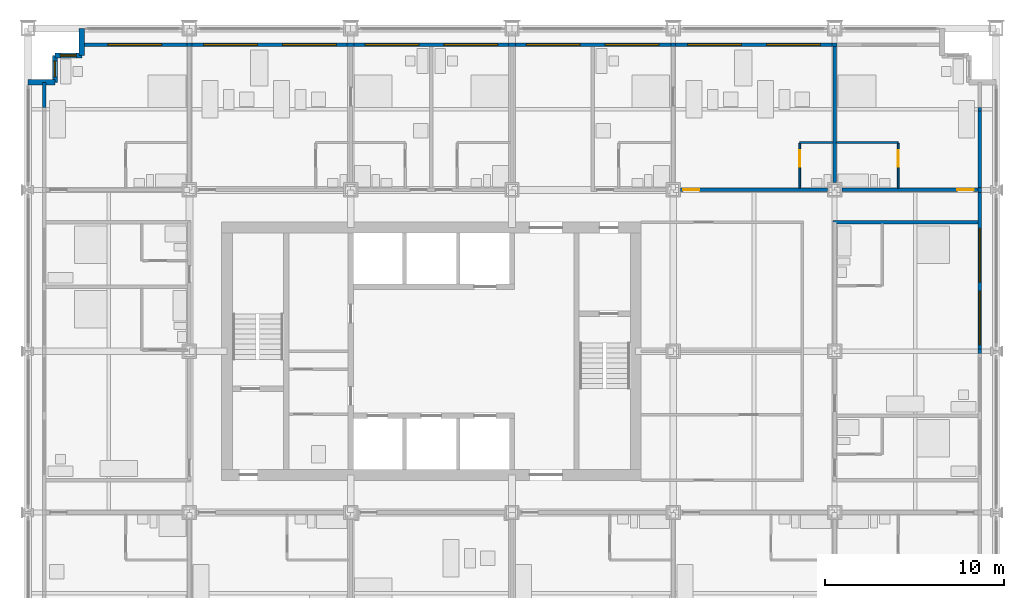
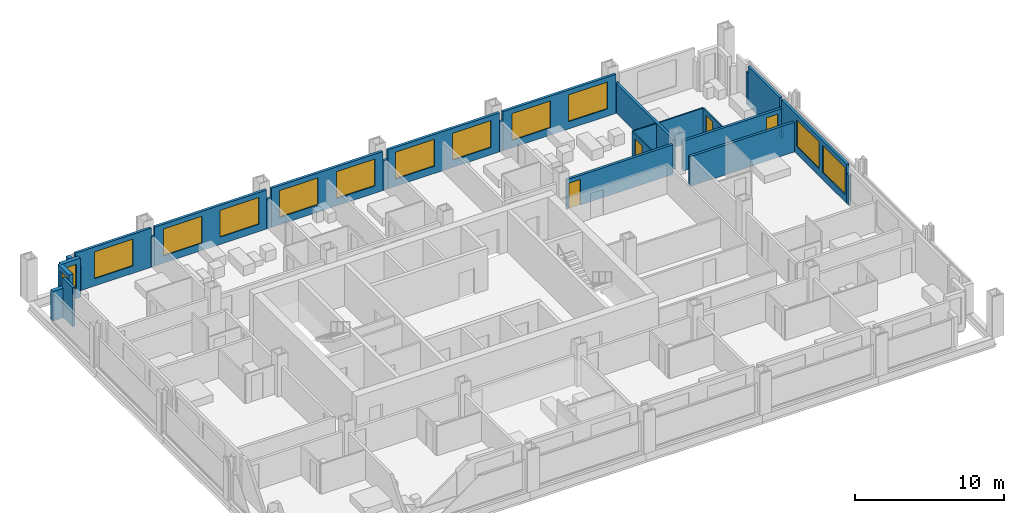
# One storey, part 14 of 18: 28 walls, 13 windows, 4 doors, 17 openings.
"""IFC4 building model written with IfcOpenShell, lengths in metres."""

from ifc_helpers import new_model, si_unit, direction, frame, frame_2d, origin, place, context, subcontext, project, spatial, rectangle, extrude, material, layer, layer_set, type_object, element, fill, save


model = new_model("IFC4")

# Units and contexts
model_context = context("Model", 3, precision=1e-05, world=origin(), true_north=direction((0.0, 1.0)))
body_context = subcontext(model_context, "Body", "Model", "MODEL_VIEW")
ifc_project = project(units=[si_unit("LENGTHUNIT", "METRE"), si_unit("AREAUNIT", "SQUARE_METRE"), si_unit("VOLUMEUNIT", "CUBIC_METRE"), si_unit("PLANEANGLEUNIT", "RADIAN"), si_unit("MASSUNIT", "GRAM", prefix="KILO")], contexts=[model_context])

# Site, building, storey
site_placement = place(None, origin())
site = spatial("IfcSite", under=ifc_project, at=site_placement, CompositionType="ELEMENT")
building_placement = place(site_placement, origin())
building = spatial("IfcBuilding", under=site, at=building_placement, Name="Loomwork Tower", CompositionType="ELEMENT")
storey_placement = place(building_placement, frame((0.0, 0.0, 45.0)))
storey = spatial("IfcBuildingStorey", under=building, at=storey_placement, Name="L10", CompositionType="ELEMENT", Elevation=45.0)

# Wall, opening, door
ifc_material_1 = material(Name="Gypsum board on steel studs, one-hour", Category="steel")
ifc_layer_1 = layer(ifc_material_1, 0.199951171875)
ifc_layer_set_1 = layer_set([ifc_layer_1], Name="Corridor wall 200")
wall_type_1 = type_object("IfcWallType", Name="Corridor wall 200", PredefinedType="PARTITIONING", material=ifc_layer_set_1)
wall_1_placement = place(storey_placement, frame((36.39990234375, 27.0, 0.0), z_axis=(0.0, 0.0, 1.0), x_axis=(1.0, 0.0, 0.0)))
wall_1 = element("IfcWall", 1, at=wall_1_placement, inside=storey, type_object=wall_type_1, Name="North corridor wall 5", PredefinedType="PARTITIONING", context=body_context, shape_type="SweptSolid", body=[
    extrude(rectangle(XDim=8.2001953125, YDim=0.199951171875, at=frame_2d((4.10009765625, 0.0))), origin(), (0.0, 0.0, 1.0), 2.43798828125),
])
opening_1_placement = place(wall_1_placement, frame((0.14990234375, 0.0, 0.0)))
opening_1 = element("IfcOpeningElement", 2, at=opening_1_placement, cuts=wall_1, Name="Opening D1", PredefinedType="OPENING", context=body_context, shape_type="SweptSolid", body=[
    extrude(rectangle(XDim=0.89990234375, YDim=2.10009765625, at=frame_2d((0.449951171875, 1.050048828125))), frame((0.0, 0.10986328125, 0.0), z_axis=(0.0, -1.0, 0.0), x_axis=(1.0, 0.0, 0.0)), (0.0, 0.0, 1.0), 0.219970703125),
])
ifc_material_2 = material(Name="Hollow metal door and frame")
door_type_1 = type_object("IfcDoorType", Name="Guest room entry door 900", OperationType="SINGLE_SWING_LEFT", PredefinedType="DOOR", material=ifc_material_2)
door_1_placement = place(opening_1_placement, origin())
door_1 = element("IfcDoor", 3, at=door_1_placement, inside=storey, type_object=door_type_1, Name="Guest room entry door L10 12", OperationType="SINGLE_SWING_LEFT", OverallHeight=2.10009765625, OverallWidth=0.89990234375, PredefinedType="DOOR", context=body_context, shape_type="SweptSolid", body=[
    extrude(rectangle(XDim=0.89990234375, YDim=2.10009765625, at=frame_2d((0.449951171875, 1.050048828125))), frame((0.0, 0.02490234375, 0.0), z_axis=(0.0, -1.0, 0.0), x_axis=(1.0, 0.0, 0.0)), (0.0, 0.0, 1.0), 0.050048828125),
])
fill(opening_1, door_1)

wall_2_placement = place(storey_placement, frame((45.39990234375, 27.0, 0.0), z_axis=(0.0, 0.0, 1.0), x_axis=(1.0, 0.0, 0.0)))
wall_2 = element("IfcWall", 4, at=wall_2_placement, inside=storey, type_object=wall_type_1, Name="North corridor wall 6", PredefinedType="PARTITIONING", context=body_context, shape_type="SweptSolid", body=[
    extrude(rectangle(XDim=7.60009765625, YDim=0.199951171875, at=frame_2d((3.800048828125, 0.0))), origin(), (0.0, 0.0, 1.0), 2.43798828125),
])
opening_2_placement = place(wall_2_placement, frame((6.449951171875, 0.0, 0.0)))
opening_2 = element("IfcOpeningElement", 5, at=opening_2_placement, cuts=wall_2, Name="Opening D1", PredefinedType="OPENING", context=body_context, shape_type="SweptSolid", body=[
    extrude(rectangle(XDim=0.89990234375, YDim=2.10009765625, at=frame_2d((0.449951171875, 1.050048828125))), frame((0.0, 0.10986328125, 0.0), z_axis=(0.0, -1.0, 0.0), x_axis=(1.0, 0.0, 0.0)), (0.0, 0.0, 1.0), 0.219970703125),
])
door_2_placement = place(opening_2_placement, origin())
door_2 = element("IfcDoor", 6, at=door_2_placement, inside=storey, type_object=door_type_1, Name="Guest room entry door L10 13", OperationType="SINGLE_SWING_RIGHT", OverallHeight=2.10009765625, OverallWidth=0.89990234375, PredefinedType="DOOR", context=body_context, shape_type="SweptSolid", body=[
    extrude(rectangle(XDim=0.89990234375, YDim=2.10009765625, at=frame_2d((0.449951171875, 1.050048828125))), frame((0.0, 0.02490234375, 0.0), z_axis=(0.0, -1.0, 0.0), x_axis=(1.0, 0.0, 0.0)), (0.0, 0.0, 1.0), 0.050048828125),
])
fill(opening_2, door_2)

# Walls
wall_3_placement = place(storey_placement, frame((44.89990234375, 25.199951171875, 0.0), z_axis=(0.0, 0.0, 1.0), x_axis=(1.0, 0.0, 0.0)))
element("IfcWall", 7, at=wall_3_placement, inside=storey, type_object=wall_type_1, Name="East band end wall N", PredefinedType="PARTITIONING", context=body_context, shape_type="SweptSolid", body=[
    extrude(rectangle(XDim=8.10009765625, YDim=0.199951171875, at=frame_2d((4.050048828125, 0.0))), origin(), (0.0, 0.0, 1.0), 2.43798828125),
])
ifc_material_3 = material(Name="Cement board on steel studs", Category="steel")
ifc_layer_2 = layer(ifc_material_3, 0.10009765625)
ifc_layer_set_2 = layer_set([ifc_layer_2], Name="En-suite partition 100")
wall_type_2 = type_object("IfcWallType", Name="En-suite partition 100", PredefinedType="PARTITIONING", material=ifc_layer_set_2)
wall_4_placement = place(storey_placement, frame((43.050048828125, 29.64990234375, 0.0), z_axis=(0.0, 0.0, 1.0), x_axis=(1.0, 0.0, 0.0)))
element("IfcWall", 8, at=wall_4_placement, inside=storey, type_object=wall_type_2, Name="En-suite wall L10 room 12", PredefinedType="PARTITIONING", context=body_context, shape_type="SweptSolid", body=[
    extrude(rectangle(XDim=1.849853515625, YDim=0.10009765625, at=frame_2d((0.9248046875, 0.0))), origin(), (0.0, 0.0, 1.0), 2.43798828125),
])

# Wall, opening, door
wall_5_placement = place(storey_placement, frame((43.050048828125, 27.10009765625, 0.0), z_axis=(0.0, 0.0, 1.0), x_axis=(0.0, 1.0, 0.0)))
wall_5 = element("IfcWall", 9, at=wall_5_placement, inside=storey, type_object=wall_type_2, Name="En-suite side wall L10 room 12", PredefinedType="PARTITIONING", context=body_context, shape_type="SweptSolid", body=[
    extrude(rectangle(XDim=2.5, YDim=0.10009765625, at=frame_2d((1.25, 0.0))), origin(), (0.0, 0.0, 1.0), 2.43798828125),
])
opening_3_placement = place(wall_5_placement, frame((1.199951171875, 0.0, 0.0)))
opening_3 = element("IfcOpeningElement", 10, at=opening_3_placement, cuts=wall_5, Name="Opening D2", PredefinedType="OPENING", context=body_context, shape_type="SweptSolid", body=[
    extrude(rectangle(XDim=0.89990234375, YDim=2.10009765625, at=frame_2d((0.449951171875, 1.050048828125))), frame((0.0, 0.06005859375, 0.0), z_axis=(0.0, -1.0, 0.0), x_axis=(1.0, 0.0, 0.0)), (0.0, 0.0, 1.0), 0.1201171875),
])
ifc_material_4 = material(Name="Hollow metal door and frame")
door_type_2 = type_object("IfcDoorType", Name="En-suite door 900", OperationType="SINGLE_SWING_LEFT", PredefinedType="DOOR", material=ifc_material_4)
door_3_placement = place(opening_3_placement, frame((0.89990234375, 0.0, 0.0), z_axis=(0.0, 0.0, 1.0), x_axis=(-1.0, 0.0, 0.0)))
door_3 = element("IfcDoor", 11, at=door_3_placement, inside=storey, type_object=door_type_2, Name="Suite powder room door room 12", OperationType="SINGLE_SWING_LEFT", OverallHeight=2.10009765625, OverallWidth=0.89990234375, PredefinedType="DOOR", context=body_context, shape_type="SweptSolid", body=[
    extrude(rectangle(XDim=0.89990234375, YDim=2.10009765625, at=frame_2d((0.449951171875, 1.050048828125))), frame((0.0, 0.02490234375, 0.0), z_axis=(0.0, -1.0, 0.0), x_axis=(1.0, 0.0, 0.0)), (0.0, 0.0, 1.0), 0.050048828125),
])
fill(opening_3, door_3)

# Wall
wall_6_placement = place(storey_placement, frame((45.10009765625, 29.64990234375, 0.0), z_axis=(0.0, 0.0, 1.0), x_axis=(1.0, 0.0, 0.0)))
element("IfcWall", 12, at=wall_6_placement, inside=storey, type_object=wall_type_2, Name="En-suite wall L10 room 13", PredefinedType="PARTITIONING", context=body_context, shape_type="SweptSolid", body=[
    extrude(rectangle(XDim=3.449951171875, YDim=0.10009765625, at=frame_2d((1.72509765625, 0.0))), origin(), (0.0, 0.0, 1.0), 2.43798828125),
])

# Wall, opening, door
wall_7_placement = place(storey_placement, frame((48.550048828125, 27.10009765625, 0.0), z_axis=(0.0, 0.0, 1.0), x_axis=(0.0, 1.0, 0.0)))
wall_7 = element("IfcWall", 13, at=wall_7_placement, inside=storey, type_object=wall_type_2, Name="En-suite side wall L10 room 13", PredefinedType="PARTITIONING", context=body_context, shape_type="SweptSolid", body=[
    extrude(rectangle(XDim=2.5, YDim=0.10009765625, at=frame_2d((1.25, 0.0))), origin(), (0.0, 0.0, 1.0), 2.43798828125),
])
opening_4_placement = place(wall_7_placement, frame((1.199951171875, 0.0, 0.0)))
opening_4 = element("IfcOpeningElement", 14, at=opening_4_placement, cuts=wall_7, Name="Opening D2", PredefinedType="OPENING", context=body_context, shape_type="SweptSolid", body=[
    extrude(rectangle(XDim=0.89990234375, YDim=2.10009765625, at=frame_2d((0.449951171875, 1.050048828125))), frame((0.0, 0.06005859375, 0.0), z_axis=(0.0, -1.0, 0.0), x_axis=(1.0, 0.0, 0.0)), (0.0, 0.0, 1.0), 0.1201171875),
])
door_4_placement = place(opening_4_placement, origin())
door_4 = element("IfcDoor", 15, at=door_4_placement, inside=storey, type_object=door_type_2, Name="En-suite door room 13", OperationType="SINGLE_SWING_RIGHT", OverallHeight=2.10009765625, OverallWidth=0.89990234375, PredefinedType="DOOR", context=body_context, shape_type="SweptSolid", body=[
    extrude(rectangle(XDim=0.89990234375, YDim=2.10009765625, at=frame_2d((0.449951171875, 1.050048828125))), frame((0.0, 0.02490234375, 0.0), z_axis=(0.0, -1.0, 0.0), x_axis=(1.0, 0.0, 0.0)), (0.0, 0.0, 1.0), 0.050048828125),
])
fill(opening_4, door_4)

# Wall
ifc_material_5 = material(Name="Gypsum board on steel studs, acoustic", Category="steel")
ifc_layer_3 = layer(ifc_material_5, 0.199951171875)
ifc_layer_set_3 = layer_set([ifc_layer_3], Name="Guest room party wall 200")
wall_type_3 = type_object("IfcWallType", Name="Guest room party wall 200", PredefinedType="PARTITIONING", material=ifc_layer_set_3)
wall_8_placement = place(storey_placement, frame((45.0, 27.39990234375, 0.0), z_axis=(0.0, 0.0, 1.0), x_axis=(0.0, 1.0, 0.0)))
element("IfcWall", 16, at=wall_8_placement, inside=storey, type_object=wall_type_3, Name="Guest room party wall N 45", PredefinedType="PARTITIONING", context=body_context, shape_type="SweptSolid", body=[
    extrude(rectangle(XDim=7.60009765625, YDim=0.199951171875, at=frame_2d((3.800048828125, 0.0))), origin(), (0.0, 0.0, 1.0), 2.43798828125),
])

# Wall, opening, window
ifc_material_6 = material(Name="Insulated steel stud wall with gypsum lining", Category="steel")
ifc_layer_4 = layer(ifc_material_6, 0.199951171875)
ifc_layer_set_4 = layer_set([ifc_layer_4], Name="Inner skin wall 200")
wall_type_4 = type_object("IfcWallType", Name="Inner skin wall 200", PredefinedType="SOLIDWALL", material=ifc_layer_set_4)
wall_9_placement = place(storey_placement, frame((3.0, 35.10009765625, 0.0), z_axis=(0.0, 0.0, 1.0), x_axis=(1.0, 0.0, 0.0)))
wall_9 = element("IfcWall", 17, at=wall_9_placement, inside=storey, type_object=wall_type_4, Name="Inner skin wall N", PredefinedType="SOLIDWALL", context=body_context, shape_type="SweptSolid", body=[
    extrude(rectangle(XDim=5.86474609375, YDim=0.199951171875, at=frame_2d((2.932373046875, 0.0))), origin(), (0.0, 0.0, 1.0), 3.199951171875),
])
opening_5_placement = place(wall_9_placement, frame((1.449951171875, 0.0, 0.60009765625)))
opening_5 = element("IfcOpeningElement", 18, at=opening_5_placement, cuts=wall_9, Name="Opening CH1", PredefinedType="OPENING", context=body_context, shape_type="SweptSolid", body=[
    extrude(rectangle(XDim=3.0, YDim=2.199951171875, at=frame_2d((1.5, 1.10009765625))), frame((0.0, 0.10986328125, 0.0), z_axis=(0.0, -1.0, 0.0), x_axis=(1.0, 0.0, 0.0)), (0.0, 0.0, 1.0), 0.219970703125),
])
ifc_material_7 = material(Name="Aluminium frame with clear insulated glass", Category="aluminium")
window_type_1 = type_object("IfcWindowType", Name="Chicago window 3000", PartitioningType="TRIPLE_PANEL_VERTICAL", PredefinedType="WINDOW", material=ifc_material_7)
window_1_placement = place(opening_5_placement, origin())
window_1 = element("IfcWindow", 19, at=window_1_placement, inside=storey, type_object=window_type_1, Name="Chicago window L10 bay 7", OverallHeight=2.199951171875, OverallWidth=3.0, PartitioningType="TRIPLE_PANEL_VERTICAL", PredefinedType="WINDOW", context=body_context, shape_type="SweptSolid", body=[
    extrude(rectangle(XDim=3.0, YDim=2.199951171875, at=frame_2d((1.5, 1.10009765625))), frame((0.0, 0.030029296875, 0.0), z_axis=(0.0, -1.0, 0.0), x_axis=(1.0, 0.0, 0.0)), (0.0, 0.0, 1.0), 0.06005859375),
])
fill(opening_5, window_1)

# Walls
wall_10_placement = place(storey_placement, frame((0.89990234375, 31.607421875, 0.0), z_axis=(0.0, 0.0, 1.0), x_axis=(0.0, 1.0, 0.0)))
element("IfcWall", 20, at=wall_10_placement, inside=storey, type_object=wall_type_4, Name="Inner skin wall W bay 11", PredefinedType="SOLIDWALL", context=body_context, shape_type="SweptSolid", body=[
    extrude(rectangle(XDim=1.392578125, YDim=0.199951171875, at=frame_2d((0.6962890625, 0.0))), origin(), (0.0, 0.0, 1.0), 3.199951171875),
])
wall_11_placement = place(storey_placement, frame((8.86474609375, 35.10009765625, 0.0), z_axis=(0.0, 0.0, 1.0), x_axis=(1.0, 0.0, 0.0)))
element("IfcWall", 21, at=wall_11_placement, inside=storey, type_object=wall_type_4, Name="Inner skin wall N bay 2", PredefinedType="SOLIDWALL", context=body_context, shape_type="SweptSolid", body=[
    extrude(rectangle(XDim=0.2705078125, YDim=0.199951171875, at=frame_2d((0.13525390625, 0.0))), origin(), (0.0, 0.0, 1.0), 2.43798828125),
])

# Wall, openings, windows
wall_12_placement = place(storey_placement, frame((9.13525390625, 35.10009765625, 0.0), z_axis=(0.0, 0.0, 1.0), x_axis=(1.0, 0.0, 0.0)))
wall_12 = element("IfcWall", 22, at=wall_12_placement, inside=storey, type_object=wall_type_4, Name="Inner skin wall N bay 3", PredefinedType="SOLIDWALL", context=body_context, shape_type="SweptSolid", body=[
    extrude(rectangle(XDim=8.6708984375, YDim=0.199951171875, at=frame_2d((4.33544921875, 0.0))), origin(), (0.0, 0.0, 1.0), 3.199951171875),
])
opening_6_placement = place(wall_12_placement, frame((0.664794921875, 0.0, 0.60009765625)))
opening_6 = element("IfcOpeningElement", 23, at=opening_6_placement, cuts=wall_12, Name="Opening CH1", PredefinedType="OPENING", context=body_context, shape_type="SweptSolid", body=[
    extrude(rectangle(XDim=3.0, YDim=2.199951171875, at=frame_2d((1.5, 1.10009765625))), frame((0.0, 0.10986328125, 0.0), z_axis=(0.0, -1.0, 0.0), x_axis=(1.0, 0.0, 0.0)), (0.0, 0.0, 1.0), 0.219970703125),
])
opening_7_placement = place(wall_12_placement, frame((5.064697265625, 0.0, 0.60009765625)))
opening_7 = element("IfcOpeningElement", 24, at=opening_7_placement, cuts=wall_12, Name="Opening CH1", PredefinedType="OPENING", context=body_context, shape_type="SweptSolid", body=[
    extrude(rectangle(XDim=3.0, YDim=2.199951171875, at=frame_2d((1.5, 1.10009765625))), frame((0.0, 0.10986328125, 0.0), z_axis=(0.0, -1.0, 0.0), x_axis=(1.0, 0.0, 0.0)), (0.0, 0.0, 1.0), 0.219970703125),
])
window_2_placement = place(opening_6_placement, origin())
window_2 = element("IfcWindow", 25, at=window_2_placement, inside=storey, type_object=window_type_1, Name="Chicago window L10 bay 8", OverallHeight=2.199951171875, OverallWidth=3.0, PartitioningType="TRIPLE_PANEL_VERTICAL", PredefinedType="WINDOW", context=body_context, shape_type="SweptSolid", body=[
    extrude(rectangle(XDim=3.0, YDim=2.199951171875, at=frame_2d((1.5, 1.10009765625))), frame((0.0, 0.030029296875, 0.0), z_axis=(0.0, -1.0, 0.0), x_axis=(1.0, 0.0, 0.0)), (0.0, 0.0, 1.0), 0.06005859375),
])
fill(opening_6, window_2)
window_3_placement = place(opening_7_placement, origin())
window_3 = element("IfcWindow", 26, at=window_3_placement, inside=storey, type_object=window_type_1, Name="Chicago window L10 bay 8", OverallHeight=2.199951171875, OverallWidth=3.0, PartitioningType="TRIPLE_PANEL_VERTICAL", PredefinedType="WINDOW", context=body_context, shape_type="SweptSolid", body=[
    extrude(rectangle(XDim=3.0, YDim=2.199951171875, at=frame_2d((1.5, 1.10009765625))), frame((0.0, 0.030029296875, 0.0), z_axis=(0.0, -1.0, 0.0), x_axis=(1.0, 0.0, 0.0)), (0.0, 0.0, 1.0), 0.06005859375),
])
fill(opening_7, window_3)

# Wall
wall_13_placement = place(storey_placement, frame((17.80615234375, 35.10009765625, 0.0), z_axis=(0.0, 0.0, 1.0), x_axis=(1.0, 0.0, 0.0)))
element("IfcWall", 27, at=wall_13_placement, inside=storey, type_object=wall_type_4, Name="Inner skin wall N bay 4", PredefinedType="SOLIDWALL", context=body_context, shape_type="SweptSolid", body=[
    extrude(rectangle(XDim=0.3876953125, YDim=0.199951171875, at=frame_2d((0.19384765625, 0.0))), origin(), (0.0, 0.0, 1.0), 2.404052734375),
])

# Wall, openings, windows
wall_14_placement = place(storey_placement, frame((18.19384765625, 35.10009765625, 0.0), z_axis=(0.0, 0.0, 1.0), x_axis=(1.0, 0.0, 0.0)))
wall_14 = element("IfcWall", 28, at=wall_14_placement, inside=storey, type_object=wall_type_4, Name="Inner skin wall N bay 5", PredefinedType="SOLIDWALL", context=body_context, shape_type="SweptSolid", body=[
    extrude(rectangle(XDim=8.6123046875, YDim=0.199951171875, at=frame_2d((4.30615234375, 0.0))), origin(), (0.0, 0.0, 1.0), 3.199951171875),
])
opening_8_placement = place(wall_14_placement, frame((0.606201171875, 0.0, 0.60009765625)))
opening_8 = element("IfcOpeningElement", 29, at=opening_8_placement, cuts=wall_14, Name="Opening CH1", PredefinedType="OPENING", context=body_context, shape_type="SweptSolid", body=[
    extrude(rectangle(XDim=3.0, YDim=2.199951171875, at=frame_2d((1.5, 1.10009765625))), frame((0.0, 0.10986328125, 0.0), z_axis=(0.0, -1.0, 0.0), x_axis=(1.0, 0.0, 0.0)), (0.0, 0.0, 1.0), 0.219970703125),
])
opening_9_placement = place(wall_14_placement, frame((5.006103515625, 0.0, 0.60009765625)))
opening_9 = element("IfcOpeningElement", 30, at=opening_9_placement, cuts=wall_14, Name="Opening CH1", PredefinedType="OPENING", context=body_context, shape_type="SweptSolid", body=[
    extrude(rectangle(XDim=3.0, YDim=2.199951171875, at=frame_2d((1.5, 1.10009765625))), frame((0.0, 0.10986328125, 0.0), z_axis=(0.0, -1.0, 0.0), x_axis=(1.0, 0.0, 0.0)), (0.0, 0.0, 1.0), 0.219970703125),
])
window_4_placement = place(opening_8_placement, origin())
window_4 = element("IfcWindow", 31, at=window_4_placement, inside=storey, type_object=window_type_1, Name="Chicago window L10 bay 9", OverallHeight=2.199951171875, OverallWidth=3.0, PartitioningType="TRIPLE_PANEL_VERTICAL", PredefinedType="WINDOW", context=body_context, shape_type="SweptSolid", body=[
    extrude(rectangle(XDim=3.0, YDim=2.199951171875, at=frame_2d((1.5, 1.10009765625))), frame((0.0, 0.030029296875, 0.0), z_axis=(0.0, -1.0, 0.0), x_axis=(1.0, 0.0, 0.0)), (0.0, 0.0, 1.0), 0.06005859375),
])
fill(opening_8, window_4)
window_5_placement = place(opening_9_placement, origin())
window_5 = element("IfcWindow", 32, at=window_5_placement, inside=storey, type_object=window_type_1, Name="Chicago window L10 bay 9", OverallHeight=2.199951171875, OverallWidth=3.0, PartitioningType="TRIPLE_PANEL_VERTICAL", PredefinedType="WINDOW", context=body_context, shape_type="SweptSolid", body=[
    extrude(rectangle(XDim=3.0, YDim=2.199951171875, at=frame_2d((1.5, 1.10009765625))), frame((0.0, 0.030029296875, 0.0), z_axis=(0.0, -1.0, 0.0), x_axis=(1.0, 0.0, 0.0)), (0.0, 0.0, 1.0), 0.06005859375),
])
fill(opening_9, window_5)

# Wall
wall_15_placement = place(storey_placement, frame((26.80615234375, 35.10009765625, 0.0), z_axis=(0.0, 0.0, 1.0), x_axis=(1.0, 0.0, 0.0)))
element("IfcWall", 33, at=wall_15_placement, inside=storey, type_object=wall_type_4, Name="Inner skin wall N bay 6", PredefinedType="SOLIDWALL", context=body_context, shape_type="SweptSolid", body=[
    extrude(rectangle(XDim=0.3876953125, YDim=0.199951171875, at=frame_2d((0.19384765625, 0.0))), origin(), (0.0, 0.0, 1.0), 2.404052734375),
])

# Wall, openings, windows
wall_16_placement = place(storey_placement, frame((27.19384765625, 35.10009765625, 0.0), z_axis=(0.0, 0.0, 1.0), x_axis=(1.0, 0.0, 0.0)))
wall_16 = element("IfcWall", 34, at=wall_16_placement, inside=storey, type_object=wall_type_4, Name="Inner skin wall N bay 7", PredefinedType="SOLIDWALL", context=body_context, shape_type="SweptSolid", body=[
    extrude(rectangle(XDim=8.670654296875, YDim=0.199951171875, at=frame_2d((4.33544921875, 0.0))), origin(), (0.0, 0.0, 1.0), 3.199951171875),
])
opening_10_placement = place(wall_16_placement, frame((0.606201171875, 0.0, 0.60009765625)))
opening_10 = element("IfcOpeningElement", 35, at=opening_10_placement, cuts=wall_16, Name="Opening CH1", PredefinedType="OPENING", context=body_context, shape_type="SweptSolid", body=[
    extrude(rectangle(XDim=3.0, YDim=2.199951171875, at=frame_2d((1.5, 1.10009765625))), frame((0.0, 0.10986328125, 0.0), z_axis=(0.0, -1.0, 0.0), x_axis=(1.0, 0.0, 0.0)), (0.0, 0.0, 1.0), 0.219970703125),
])
opening_11_placement = place(wall_16_placement, frame((5.006103515625, 0.0, 0.60009765625)))
opening_11 = element("IfcOpeningElement", 36, at=opening_11_placement, cuts=wall_16, Name="Opening CH1", PredefinedType="OPENING", context=body_context, shape_type="SweptSolid", body=[
    extrude(rectangle(XDim=3.0, YDim=2.199951171875, at=frame_2d((1.5, 1.10009765625))), frame((0.0, 0.10986328125, 0.0), z_axis=(0.0, -1.0, 0.0), x_axis=(1.0, 0.0, 0.0)), (0.0, 0.0, 1.0), 0.219970703125),
])
window_6_placement = place(opening_10_placement, origin())
window_6 = element("IfcWindow", 37, at=window_6_placement, inside=storey, type_object=window_type_1, Name="Chicago window L10 bay 10", OverallHeight=2.199951171875, OverallWidth=3.0, PartitioningType="TRIPLE_PANEL_VERTICAL", PredefinedType="WINDOW", context=body_context, shape_type="SweptSolid", body=[
    extrude(rectangle(XDim=3.0, YDim=2.199951171875, at=frame_2d((1.5, 1.10009765625))), frame((0.0, 0.030029296875, 0.0), z_axis=(0.0, -1.0, 0.0), x_axis=(1.0, 0.0, 0.0)), (0.0, 0.0, 1.0), 0.06005859375),
])
fill(opening_10, window_6)
window_7_placement = place(opening_11_placement, origin())
window_7 = element("IfcWindow", 38, at=window_7_placement, inside=storey, type_object=window_type_1, Name="Chicago window L10 bay 10", OverallHeight=2.199951171875, OverallWidth=3.0, PartitioningType="TRIPLE_PANEL_VERTICAL", PredefinedType="WINDOW", context=body_context, shape_type="SweptSolid", body=[
    extrude(rectangle(XDim=3.0, YDim=2.199951171875, at=frame_2d((1.5, 1.10009765625))), frame((0.0, 0.030029296875, 0.0), z_axis=(0.0, -1.0, 0.0), x_axis=(1.0, 0.0, 0.0)), (0.0, 0.0, 1.0), 0.06005859375),
])
fill(opening_11, window_7)

# Wall
wall_17_placement = place(storey_placement, frame((35.864501953125, 35.10009765625, 0.0), z_axis=(0.0, 0.0, 1.0), x_axis=(1.0, 0.0, 0.0)))
element("IfcWall", 39, at=wall_17_placement, inside=storey, type_object=wall_type_4, Name="Inner skin wall N bay 8", PredefinedType="SOLIDWALL", context=body_context, shape_type="SweptSolid", body=[
    extrude(rectangle(XDim=0.27099609375, YDim=0.199951171875, at=frame_2d((0.135498046875, 0.0))), origin(), (0.0, 0.0, 1.0), 2.43798828125),
])

# Wall, openings, windows
wall_18_placement = place(storey_placement, frame((36.135498046875, 35.10009765625, 0.0), z_axis=(0.0, 0.0, 1.0), x_axis=(1.0, 0.0, 0.0)))
wall_18 = element("IfcWall", 40, at=wall_18_placement, inside=storey, type_object=wall_type_4, Name="Inner skin wall N bay 9", PredefinedType="SOLIDWALL", context=body_context, shape_type="SweptSolid", body=[
    extrude(rectangle(XDim=8.72900390625, YDim=0.199951171875, at=frame_2d((4.364501953125, 0.0))), origin(), (0.0, 0.0, 1.0), 3.199951171875),
])
opening_12_placement = place(wall_18_placement, frame((0.66455078125, 0.0, 0.60009765625)))
opening_12 = element("IfcOpeningElement", 41, at=opening_12_placement, cuts=wall_18, Name="Opening CH1", PredefinedType="OPENING", context=body_context, shape_type="SweptSolid", body=[
    extrude(rectangle(XDim=3.0, YDim=2.199951171875, at=frame_2d((1.5, 1.10009765625))), frame((0.0, 0.10986328125, 0.0), z_axis=(0.0, -1.0, 0.0), x_axis=(1.0, 0.0, 0.0)), (0.0, 0.0, 1.0), 0.219970703125),
])
opening_13_placement = place(wall_18_placement, frame((5.064697265625, 0.0, 0.60009765625)))
opening_13 = element("IfcOpeningElement", 42, at=opening_13_placement, cuts=wall_18, Name="Opening CH1", PredefinedType="OPENING", context=body_context, shape_type="SweptSolid", body=[
    extrude(rectangle(XDim=3.0, YDim=2.199951171875, at=frame_2d((1.5, 1.10009765625))), frame((0.0, 0.10986328125, 0.0), z_axis=(0.0, -1.0, 0.0), x_axis=(1.0, 0.0, 0.0)), (0.0, 0.0, 1.0), 0.219970703125),
])
window_8_placement = place(opening_12_placement, origin())
window_8 = element("IfcWindow", 43, at=window_8_placement, inside=storey, type_object=window_type_1, Name="Chicago window L10 bay 11", OverallHeight=2.199951171875, OverallWidth=3.0, PartitioningType="TRIPLE_PANEL_VERTICAL", PredefinedType="WINDOW", context=body_context, shape_type="SweptSolid", body=[
    extrude(rectangle(XDim=3.0, YDim=2.199951171875, at=frame_2d((1.5, 1.10009765625))), frame((0.0, 0.030029296875, 0.0), z_axis=(0.0, -1.0, 0.0), x_axis=(1.0, 0.0, 0.0)), (0.0, 0.0, 1.0), 0.06005859375),
])
fill(opening_12, window_8)
window_9_placement = place(opening_13_placement, origin())
window_9 = element("IfcWindow", 44, at=window_9_placement, inside=storey, type_object=window_type_1, Name="Chicago window L10 bay 11", OverallHeight=2.199951171875, OverallWidth=3.0, PartitioningType="TRIPLE_PANEL_VERTICAL", PredefinedType="WINDOW", context=body_context, shape_type="SweptSolid", body=[
    extrude(rectangle(XDim=3.0, YDim=2.199951171875, at=frame_2d((1.5, 1.10009765625))), frame((0.0, 0.030029296875, 0.0), z_axis=(0.0, -1.0, 0.0), x_axis=(1.0, 0.0, 0.0)), (0.0, 0.0, 1.0), 0.06005859375),
])
fill(opening_13, window_9)

# Walls
for number, where, z_axis, x_axis, name in (
    (45, (44.864501953125, 35.10009765625, 0.0), (0.0, 0.0, 1.0), (1.0, 0.0, 0.0), "Inner skin wall N bay 10"),
    (46, (53.10009765625, 17.864501953125, 0.0), (0.0, 0.0, 1.0), (0.0, 1.0, 0.0), "Inner skin wall E bay 6"),
):
    element("IfcWall", number, at=place(storey_placement, frame(where, z_axis=z_axis, x_axis=x_axis)), inside=storey, type_object=wall_type_4, Name=name, PredefinedType="SOLIDWALL", context=body_context, shape_type="SweptSolid", body=[
        extrude(rectangle(XDim=0.27099609375, YDim=0.199951171875, at=frame_2d((0.135498046875, 0.0))), origin(), (0.0, 0.0, 1.0), 2.43798828125),
    ])

# Wall, openings, windows
wall_19_placement = place(storey_placement, frame((53.10009765625, 18.135498046875, 0.0), z_axis=(0.0, 0.0, 1.0), x_axis=(0.0, 1.0, 0.0)))
wall_19 = element("IfcWall", 47, at=wall_19_placement, inside=storey, type_object=wall_type_4, Name="Inner skin wall E bay 7", PredefinedType="SOLIDWALL", context=body_context, shape_type="SweptSolid", body=[
    extrude(rectangle(XDim=8.729248046875, YDim=0.199951171875, at=frame_2d((4.36474609375, 0.0))), origin(), (0.0, 0.0, 1.0), 3.199951171875),
])
opening_14_placement = place(wall_19_placement, frame((0.214599609375, 0.0, 0.60009765625)))
opening_14 = element("IfcOpeningElement", 48, at=opening_14_placement, cuts=wall_19, Name="Opening CH1", PredefinedType="OPENING", context=body_context, shape_type="SweptSolid", body=[
    extrude(rectangle(XDim=3.0, YDim=2.199951171875, at=frame_2d((1.5, 1.10009765625))), frame((0.0, 0.10986328125, 0.0), z_axis=(0.0, -1.0, 0.0), x_axis=(1.0, 0.0, 0.0)), (0.0, 0.0, 1.0), 0.219970703125),
])
opening_15_placement = place(wall_19_placement, frame((3.714599609375, 0.0, 0.60009765625)))
opening_15 = element("IfcOpeningElement", 49, at=opening_15_placement, cuts=wall_19, Name="Opening CH1", PredefinedType="OPENING", context=body_context, shape_type="SweptSolid", body=[
    extrude(rectangle(XDim=3.0, YDim=2.199951171875, at=frame_2d((1.5, 1.10009765625))), frame((0.0, 0.10986328125, 0.0), z_axis=(0.0, -1.0, 0.0), x_axis=(1.0, 0.0, 0.0)), (0.0, 0.0, 1.0), 0.219970703125),
])
window_10_placement = place(opening_14_placement, origin())
window_10 = element("IfcWindow", 50, at=window_10_placement, inside=storey, type_object=window_type_1, Name="Chicago window L10 bay 16", OverallHeight=2.199951171875, OverallWidth=3.0, PartitioningType="TRIPLE_PANEL_VERTICAL", PredefinedType="WINDOW", context=body_context, shape_type="SweptSolid", body=[
    extrude(rectangle(XDim=3.0, YDim=2.199951171875, at=frame_2d((1.5, 1.10009765625))), frame((0.0, 0.030029296875, 0.0), z_axis=(0.0, -1.0, 0.0), x_axis=(1.0, 0.0, 0.0)), (0.0, 0.0, 1.0), 0.06005859375),
])
fill(opening_14, window_10)
window_11_placement = place(opening_15_placement, origin())
window_11 = element("IfcWindow", 51, at=window_11_placement, inside=storey, type_object=window_type_1, Name="Chicago window L10 bay 16", OverallHeight=2.199951171875, OverallWidth=3.0, PartitioningType="TRIPLE_PANEL_VERTICAL", PredefinedType="WINDOW", context=body_context, shape_type="SweptSolid", body=[
    extrude(rectangle(XDim=3.0, YDim=2.199951171875, at=frame_2d((1.5, 1.10009765625))), frame((0.0, 0.030029296875, 0.0), z_axis=(0.0, -1.0, 0.0), x_axis=(1.0, 0.0, 0.0)), (0.0, 0.0, 1.0), 0.06005859375),
])
fill(opening_15, window_11)

# Walls
wall_20_placement = place(storey_placement, frame((53.10009765625, 26.86474609375, 0.0), z_axis=(0.0, 0.0, 1.0), x_axis=(0.0, 1.0, 0.0)))
element("IfcWall", 52, at=wall_20_placement, inside=storey, type_object=wall_type_4, Name="Inner skin wall E bay 8", PredefinedType="SOLIDWALL", context=body_context, shape_type="SweptSolid", body=[
    extrude(rectangle(XDim=0.2705078125, YDim=0.199951171875, at=frame_2d((0.13525390625, 0.0))), origin(), (0.0, 0.0, 1.0), 2.43798828125),
])
wall_21_placement = place(storey_placement, frame((53.10009765625, 27.13525390625, 0.0), z_axis=(0.0, 0.0, 1.0), x_axis=(0.0, 1.0, 0.0)))
element("IfcWall", 53, at=wall_21_placement, inside=storey, type_object=wall_type_4, Name="Inner skin wall E bay 9", PredefinedType="SOLIDWALL", context=body_context, shape_type="SweptSolid", body=[
    extrude(rectangle(XDim=4.25732421875, YDim=0.199951171875, at=frame_2d((2.128662109375, 0.0))), origin(), (0.0, 0.0, 1.0), 3.199951171875),
])
wall_22_placement = place(storey_placement, frame((53.10009765625, 31.392578125, 0.0), z_axis=(0.0, 0.0, 1.0), x_axis=(0.0, 1.0, 0.0)))
element("IfcWall", 54, at=wall_22_placement, inside=storey, type_object=wall_type_4, Name="Inner skin wall E bay 10", PredefinedType="SOLIDWALL", context=body_context, shape_type="SweptSolid", body=[
    extrude(rectangle(XDim=0.21484375, YDim=0.199951171875, at=frame_2d((0.107421875, 0.0))), origin(), (0.0, 0.0, 1.0), 2.660888671875),
])
ifc_material_8 = material(Name="Limestone on concrete masonry", Category="masonry")
ifc_layer_5 = layer(ifc_material_8, 0.300048828125)
ifc_layer_set_5 = layer_set([ifc_layer_5], Name="Limestone corner wall 300")
wall_type_5 = type_object("IfcWallType", Name="Limestone corner wall 300", PredefinedType="SOLIDWALL", material=ifc_layer_set_5)
wall_23_placement = place(storey_placement, frame((3.0, 36.0, 0.0), z_axis=(0.0, 0.0, 1.0), x_axis=(0.0, -1.0, 0.0)))
element("IfcWall", 55, at=wall_23_placement, inside=storey, type_object=wall_type_5, Name="Stone corner wall NW 1", PredefinedType="SOLIDWALL", context=body_context, shape_type="SweptSolid", body=[
    extrude(rectangle(XDim=1.5, YDim=0.300048828125, at=frame_2d((0.75, 0.0))), origin(), (0.0, 0.0, 1.0), 2.419921875),
])

# Wall, opening, window
wall_24_placement = place(storey_placement, frame((3.0, 34.5, 0.0), z_axis=(0.0, 0.0, 1.0), x_axis=(-1.0, 0.0, 0.0)))
wall_24 = element("IfcWall", 56, at=wall_24_placement, inside=storey, type_object=wall_type_5, Name="Stone corner wall NW 2", PredefinedType="SOLIDWALL", context=body_context, shape_type="SweptSolid", body=[
    extrude(rectangle(XDim=1.5, YDim=0.300048828125, at=frame_2d((0.75, 0.0))), origin(), (0.0, 0.0, 1.0), 3.199951171875),
])
opening_16_placement = place(wall_24_placement, frame((0.300048828125, 0.0, 0.60009765625)))
opening_16 = element("IfcOpeningElement", 57, at=opening_16_placement, cuts=wall_24, Name="Opening CH2", PredefinedType="OPENING", context=body_context, shape_type="SweptSolid", body=[
    extrude(rectangle(XDim=0.89990234375, YDim=2.199951171875, at=frame_2d((0.449951171875, 1.10009765625))), frame((0.0, 0.159912109375, 0.0), z_axis=(0.0, -1.0, 0.0), x_axis=(1.0, 0.0, 0.0)), (0.0, 0.0, 1.0), 0.320068359375),
])
ifc_material_9 = material(Name="Aluminium frame with clear insulated glass", Category="aluminium")
window_type_2 = type_object("IfcWindowType", Name="Corner window 900", PartitioningType="SINGLE_PANEL", PredefinedType="WINDOW", material=ifc_material_9)
window_12_placement = place(opening_16_placement, origin())
window_12 = element("IfcWindow", 58, at=window_12_placement, inside=storey, type_object=window_type_2, Name="Corner window NW", OverallHeight=2.199951171875, OverallWidth=0.89990234375, PartitioningType="SINGLE_PANEL", PredefinedType="WINDOW", context=body_context, shape_type="SweptSolid", body=[
    extrude(rectangle(XDim=0.89990234375, YDim=2.199951171875, at=frame_2d((0.449951171875, 1.10009765625))), frame((0.0, 0.030029296875, 0.0), z_axis=(0.0, -1.0, 0.0), x_axis=(1.0, 0.0, 0.0)), (0.0, 0.0, 1.0), 0.06005859375),
])
fill(opening_16, window_12)

wall_25_placement = place(storey_placement, frame((1.5, 34.5, 0.0), z_axis=(0.0, 0.0, 1.0), x_axis=(0.0, -1.0, 0.0)))
wall_25 = element("IfcWall", 59, at=wall_25_placement, inside=storey, type_object=wall_type_5, Name="Stone corner wall NW 3", PredefinedType="SOLIDWALL", context=body_context, shape_type="SweptSolid", body=[
    extrude(rectangle(XDim=1.5, YDim=0.300048828125, at=frame_2d((0.75, 0.0))), origin(), (0.0, 0.0, 1.0), 3.199951171875),
])
opening_17_placement = place(wall_25_placement, frame((0.300048828125, 0.0, 0.60009765625)))
opening_17 = element("IfcOpeningElement", 60, at=opening_17_placement, cuts=wall_25, Name="Opening CH2", PredefinedType="OPENING", context=body_context, shape_type="SweptSolid", body=[
    extrude(rectangle(XDim=0.89990234375, YDim=2.199951171875, at=frame_2d((0.449951171875, 1.10009765625))), frame((0.0, 0.159912109375, 0.0), z_axis=(0.0, -1.0, 0.0), x_axis=(1.0, 0.0, 0.0)), (0.0, 0.0, 1.0), 0.320068359375),
])
window_13_placement = place(opening_17_placement, origin())
window_13 = element("IfcWindow", 61, at=window_13_placement, inside=storey, type_object=window_type_2, Name="Corner window NW", OverallHeight=2.199951171875, OverallWidth=0.89990234375, PartitioningType="SINGLE_PANEL", PredefinedType="WINDOW", context=body_context, shape_type="SweptSolid", body=[
    extrude(rectangle(XDim=0.89990234375, YDim=2.199951171875, at=frame_2d((0.449951171875, 1.10009765625))), frame((0.0, 0.030029296875, 0.0), z_axis=(0.0, -1.0, 0.0), x_axis=(1.0, 0.0, 0.0)), (0.0, 0.0, 1.0), 0.06005859375),
])
fill(opening_17, window_13)

# Wall
wall_26_placement = place(storey_placement, frame((1.5, 33.0, 0.0), z_axis=(0.0, 0.0, 1.0), x_axis=(-1.0, 0.0, 0.0)))
element("IfcWall", 62, at=wall_26_placement, inside=storey, type_object=wall_type_5, Name="Stone corner wall NW 4", PredefinedType="SOLIDWALL", context=body_context, shape_type="SweptSolid", body=[
    extrude(rectangle(XDim=1.5, YDim=0.300048828125, at=frame_2d((0.75, 0.0))), origin(), (0.0, 0.0, 1.0), 2.419921875),
])

save(model, "model.ifc")
